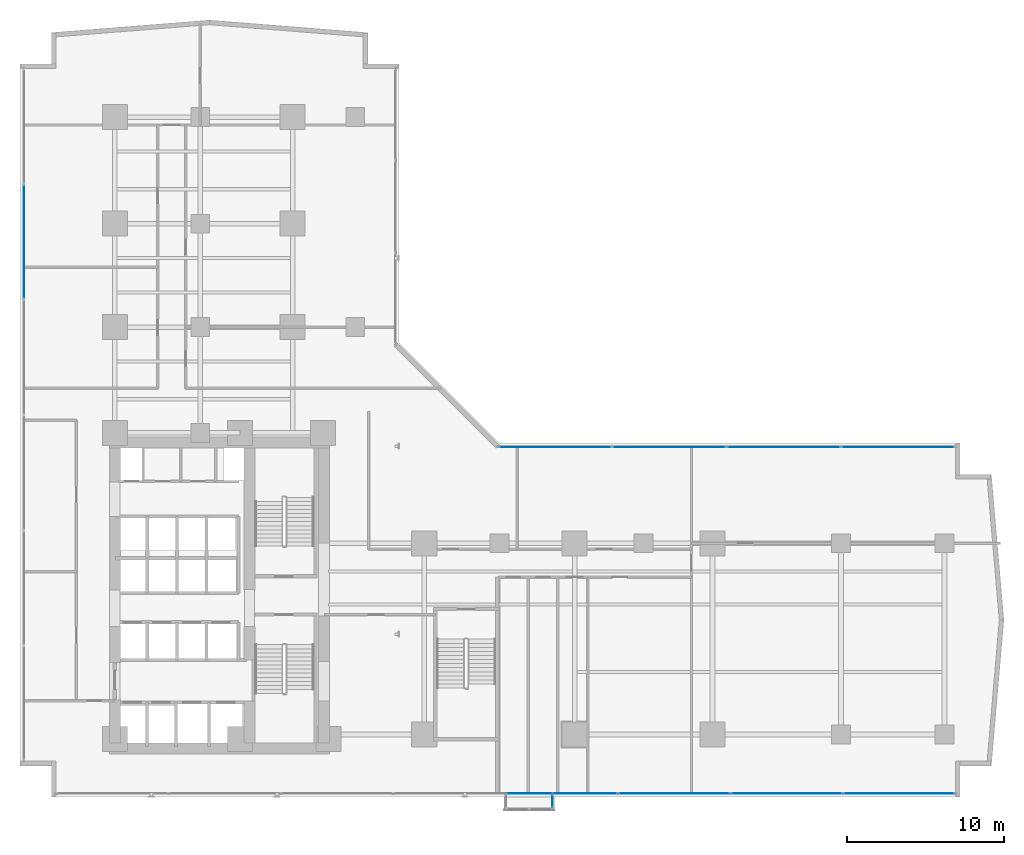
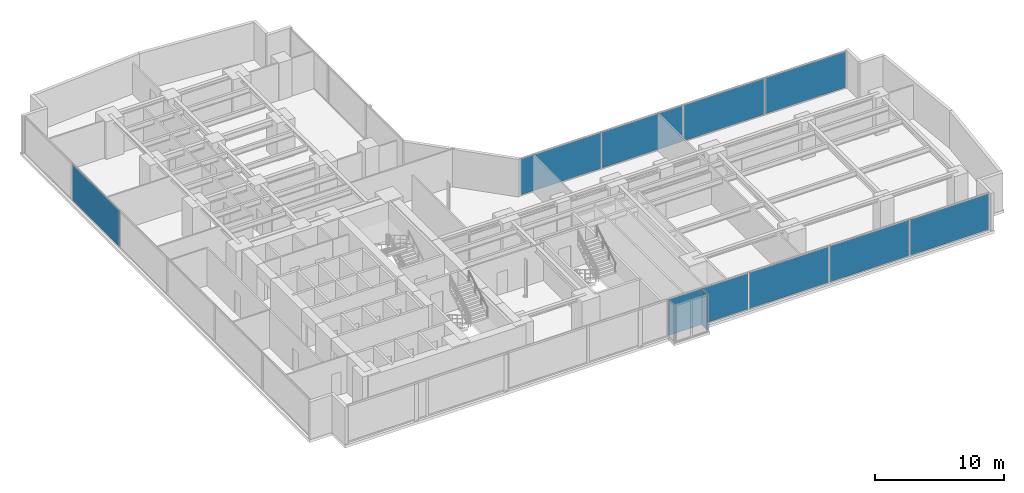
# One storey, part 22 of 29: 10 plates, 4 elements without a shape of their own.
"""IFC4 building model written with IfcOpenShell, lengths in metres."""

from ifc_helpers import new_model, si_unit, direction, frame, origin, origin_with_axes, origin_2d, place, context, subcontext, project, spatial, rectangle, extrude, source, transform, mapped, material, layer, layer_set, type_object, element, aggregate, save


model = new_model("IFC4")

# Units and contexts
model_context = context("Model", 3, precision=1e-05, world=origin(), true_north=direction((0.0, 1.0)))
body_context = subcontext(model_context, "Body", "Model", "MODEL_VIEW")
ifc_project = project(units=[si_unit("LENGTHUNIT", "METRE"), si_unit("AREAUNIT", "SQUARE_METRE"), si_unit("VOLUMEUNIT", "CUBIC_METRE"), si_unit("PLANEANGLEUNIT", "RADIAN"), si_unit("MASSUNIT", "GRAM", prefix="KILO")], contexts=[model_context])

# Site, building, storey
site_placement = place(None, origin())
site = spatial("IfcSite", under=ifc_project, at=site_placement, CompositionType="ELEMENT")
building_placement = place(site_placement, origin())
building = spatial("IfcBuilding", under=site, at=building_placement, Name="Kolvaren Waterfront Exchange", CompositionType="ELEMENT")
storey_placement = place(building_placement, frame((0.0, 0.0, 37.199951171875)))
storey = spatial("IfcBuildingStorey", under=building, at=storey_placement, Name="L09", CompositionType="ELEMENT", Elevation=37.199951171875)

# Curtain wall, plates
ifc_material_1 = material(Name="Anodised bronze aluminium 6063-T6", Category="aluminium")
ifc_layer_1 = layer(ifc_material_1, 0.219970703125, Name="Anodised bronze aluminium 6063-T6")
ifc_layer_set_1 = layer_set([ifc_layer_1], Name="Anodised bronze aluminium 6063-T6")
curtain_wall_type_1 = type_object("IfcCurtainWallType", Name="ARC-CW-SYS1", PredefinedType="USERDEFINED", material=ifc_layer_set_1)
curtain_wall_1_placement = place(storey_placement, origin())
curtain_wall_1 = element("IfcCurtainWall", 1, at=curtain_wall_1_placement, inside=storey, type_object=curtain_wall_type_1, Name="L09 stick curtain wall CW1 (CW-L09-S)", ObjectType="STICK CURTAIN WALL", PredefinedType="USERDEFINED")
ifc_material_2 = material(Name="Bronze solar control vision glass", Category="aluminium")
ifc_layer_2 = layer(ifc_material_2, 0.028076171875, Name="Bronze solar control vision glass")
ifc_layer_set_2 = layer_set([ifc_layer_2], Name="Bronze solar control vision glass")
plate_type_1 = type_object("IfcPlateType", Name="ARC-CWP-28", PredefinedType="CURTAIN_PANEL", material=ifc_layer_set_2)
shared_shape_1 = source(origin_with_axes(), body_context, "Body", "SweptSolid", [
    extrude(rectangle(XDim=7.054931640625, YDim=0.028076171875, at=origin_2d()), origin(), (0.0, 0.0, 1.0), 3.389892578125),
])
plate_1_placement = place(storey_placement, frame((57.492431640625, 1.43994140625, 0.0751953125), z_axis=(0.0, 0.0, 1.0), x_axis=(1.0, 0.0, 0.0)))
plate_1 = element("IfcPlate", 2, at=plate_1_placement, type_object=plate_type_1, Name="CW1 panel 8.1", PredefinedType="CURTAIN_PANEL", context=body_context, shape_type="MappedRepresentation", body=[
    mapped(shared_shape_1, transform((0.0, 0.0, 0.0), x_axis=(1.0, 0.0, 0.0), y_axis=(0.0, 1.0, 0.0), z_axis=(0.0, 0.0, 1.0), scale=1.0)),
])
shared_shape_2 = source(origin_with_axes(), body_context, "Body", "SweptSolid", [
    extrude(rectangle(XDim=7.094970703125, YDim=0.028076171875, at=origin_2d()), origin(), (0.0, 0.0, 1.0), 3.389892578125),
])
plate_2_placement = place(storey_placement, frame((35.987548828125, 1.43994140625, 0.0751953125), z_axis=(0.0, 0.0, 1.0), x_axis=(1.0, 0.0, 0.0)))
plate_2 = element("IfcPlate", 3, at=plate_2_placement, type_object=plate_type_1, Name="CW1 panel 5.1", PredefinedType="CURTAIN_PANEL", context=body_context, shape_type="MappedRepresentation", body=[
    mapped(shared_shape_2, transform((0.0, 0.0, 0.0), x_axis=(1.0, 0.0, 0.0), y_axis=(0.0, 1.0, 0.0), z_axis=(0.0, 0.0, 1.0), scale=1.0)),
])
plate_3_placement = place(storey_placement, frame((43.16259765625, 1.43994140625, 0.0751953125), z_axis=(0.0, 0.0, 1.0), x_axis=(1.0, 0.0, 0.0)))
plate_3 = element("IfcPlate", 4, at=plate_3_placement, type_object=plate_type_1, Name="CW1 panel 6.1", PredefinedType="CURTAIN_PANEL", context=body_context, shape_type="MappedRepresentation", body=[
    mapped(shared_shape_2, transform((0.0, 0.0, 0.0), x_axis=(1.0, 0.0, 0.0), y_axis=(0.0, 1.0, 0.0), z_axis=(0.0, 0.0, 1.0), scale=1.0)),
])
plate_4_placement = place(storey_placement, frame((50.33740234375, 1.43994140625, 0.0751953125), z_axis=(0.0, 0.0, 1.0), x_axis=(1.0, 0.0, 0.0)))
plate_4 = element("IfcPlate", 5, at=plate_4_placement, type_object=plate_type_1, Name="CW1 panel 7.1", PredefinedType="CURTAIN_PANEL", context=body_context, shape_type="MappedRepresentation", body=[
    mapped(shared_shape_2, transform((0.0, 0.0, 0.0), x_axis=(1.0, 0.0, 0.0), y_axis=(0.0, 1.0, 0.0), z_axis=(0.0, 0.0, 1.0), scale=1.0)),
])
aggregate(curtain_wall_1, [plate_2, plate_3, plate_4, plate_1])

# Curtain wall, plate
ifc_material_3 = material(Name="Anodised aluminium 6063-T6", Category="aluminium")
ifc_layer_3 = layer(ifc_material_3, 0.219970703125, Name="Anodised aluminium 6063-T6")
ifc_layer_set_3 = layer_set([ifc_layer_3], Name="Anodised aluminium 6063-T6")
curtain_wall_type_2 = type_object("IfcCurtainWallType", Name="ARC-CW-SYS2", PredefinedType="USERDEFINED", material=ifc_layer_set_3)
curtain_wall_2_placement = place(storey_placement, origin())
curtain_wall_2 = element("IfcCurtainWall", 6, at=curtain_wall_2_placement, inside=storey, type_object=curtain_wall_type_2, Name="L09 stick curtain wall CW2 (CW-L09-W)", ObjectType="STICK CURTAIN WALL", PredefinedType="USERDEFINED")
ifc_material_4 = material(Name="Acoustic laminated vision glass", Category="glass")
ifc_layer_4 = layer(ifc_material_4, 0.031982421875, Name="Acoustic laminated vision glass")
ifc_layer_set_4 = layer_set([ifc_layer_4], Name="Acoustic laminated vision glass")
plate_type_2 = type_object("IfcPlateType", Name="ARC-CWP-32", PredefinedType="CURTAIN_PANEL", material=ifc_layer_set_4)
shared_shape_3 = source(origin_with_axes(), body_context, "Body", "SweptSolid", [
    extrude(rectangle(XDim=7.28662109375, YDim=0.031982421875, at=origin_2d()), origin(), (0.0, 0.0, 1.0), 3.389892578125),
])
plate_5_placement = place(storey_placement, frame((1.639892578125, 36.64990234375, 0.0751953125), z_axis=(0.0, 0.0, 1.0), x_axis=(0.0, 1.0, 0.0)))
plate_5 = element("IfcPlate", 7, at=plate_5_placement, type_object=plate_type_2, Name="CW2 panel 5.1", PredefinedType="CURTAIN_PANEL", context=body_context, shape_type="MappedRepresentation", body=[
    mapped(shared_shape_3, transform((0.0, 0.0, 0.0), x_axis=(1.0, 0.0, 0.0), y_axis=(0.0, 1.0, 0.0), z_axis=(0.0, 0.0, 1.0), scale=1.0)),
])
aggregate(curtain_wall_2, [plate_5])

# Curtain wall, plates
curtain_wall_3_placement = place(storey_placement, origin())
curtain_wall_3 = element("IfcCurtainWall", 8, at=curtain_wall_3_placement, inside=storey, type_object=curtain_wall_type_1, Name="L09 stick curtain wall CW1 (CW-L09-EN)", ObjectType="STICK CURTAIN WALL", PredefinedType="USERDEFINED")
shared_shape_4 = source(origin_with_axes(), body_context, "Body", "SweptSolid", [
    extrude(rectangle(XDim=7.1826171875, YDim=0.028076171875, at=origin_2d()), origin(), (0.0, 0.0, 1.0), 3.389892578125),
])
plate_6_placement = place(storey_placement, frame((35.561279296875, 23.56005859375, 0.0751953125), z_axis=(0.0, 0.0, 1.0), x_axis=(1.0, 0.0, 0.0)))
plate_6 = element("IfcPlate", 9, at=plate_6_placement, type_object=plate_type_1, Name="CW1 panel 1.1", PredefinedType="CURTAIN_PANEL", context=body_context, shape_type="MappedRepresentation", body=[
    mapped(shared_shape_4, transform((0.0, 0.0, 0.0), x_axis=(1.0, 0.0, 0.0), y_axis=(0.0, 1.0, 0.0), z_axis=(0.0, 0.0, 1.0), scale=1.0)),
])
plate_7_placement = place(storey_placement, frame((57.4287109375, 23.56005859375, 0.0751953125), z_axis=(0.0, 0.0, 1.0), x_axis=(1.0, 0.0, 0.0)))
plate_7 = element("IfcPlate", 10, at=plate_7_placement, type_object=plate_type_1, Name="CW1 panel 4.1", PredefinedType="CURTAIN_PANEL", context=body_context, shape_type="MappedRepresentation", body=[
    mapped(shared_shape_4, transform((0.0, 0.0, 0.0), x_axis=(1.0, 0.0, 0.0), y_axis=(0.0, 1.0, 0.0), z_axis=(0.0, 0.0, 1.0), scale=1.0)),
])
shared_shape_5 = source(origin_with_axes(), body_context, "Body", "SweptSolid", [
    extrude(rectangle(XDim=7.222412109375, YDim=0.028076171875, at=origin_2d()), origin(), (0.0, 0.0, 1.0), 3.389892578125),
])
plate_8_placement = place(storey_placement, frame((42.84375, 23.56005859375, 0.0751953125), z_axis=(0.0, 0.0, 1.0), x_axis=(1.0, 0.0, 0.0)))
plate_8 = element("IfcPlate", 11, at=plate_8_placement, type_object=plate_type_1, Name="CW1 panel 2.1", PredefinedType="CURTAIN_PANEL", context=body_context, shape_type="MappedRepresentation", body=[
    mapped(shared_shape_5, transform((0.0, 0.0, 0.0), x_axis=(1.0, 0.0, 0.0), y_axis=(0.0, 1.0, 0.0), z_axis=(0.0, 0.0, 1.0), scale=1.0)),
])
plate_9_placement = place(storey_placement, frame((50.146240234375, 23.56005859375, 0.0751953125), z_axis=(0.0, 0.0, 1.0), x_axis=(1.0, 0.0, 0.0)))
plate_9 = element("IfcPlate", 12, at=plate_9_placement, type_object=plate_type_1, Name="CW1 panel 3.1", PredefinedType="CURTAIN_PANEL", context=body_context, shape_type="MappedRepresentation", body=[
    mapped(shared_shape_5, transform((0.0, 0.0, 0.0), x_axis=(1.0, 0.0, 0.0), y_axis=(0.0, 1.0, 0.0), z_axis=(0.0, 0.0, 1.0), scale=1.0)),
])
aggregate(curtain_wall_3, [plate_6, plate_8, plate_9, plate_7])

# Curtain wall, plate
ifc_layer_5 = layer(ifc_material_1, 0.219970703125, Name="Anodised bronze aluminium 6063-T6")
ifc_layer_set_5 = layer_set([ifc_layer_5], Name="Anodised bronze aluminium 6063-T6")
curtain_wall_type_3 = type_object("IfcCurtainWallType", Name="ARC-CW-SYS3", PredefinedType="USERDEFINED", material=ifc_layer_set_5)
curtain_wall_4_placement = place(storey_placement, origin())
curtain_wall_4 = element("IfcCurtainWall", 13, at=curtain_wall_4_placement, inside=storey, type_object=curtain_wall_type_3, Name="L09 stick curtain wall CW3 (CW-L09-BOX-E)", ObjectType="STICK CURTAIN WALL", PredefinedType="USERDEFINED")
ifc_material_5 = material(Name="Bronze tinted bay-box vision glass", Category="aluminium")
ifc_layer_6 = layer(ifc_material_5, 0.02392578125, Name="Bronze tinted bay-box vision glass")
ifc_layer_set_6 = layer_set([ifc_layer_6], Name="Bronze tinted bay-box vision glass")
plate_type_3 = type_object("IfcPlateType", Name="ARC-CWP-24", PredefinedType="CURTAIN_PANEL", material=ifc_layer_set_6)
shared_shape_6 = source(origin_with_axes(), body_context, "Body", "SweptSolid", [
    extrude(rectangle(XDim=0.830078125, YDim=0.02392578125, at=origin_2d()), origin(), (0.0, 0.0, 1.0), 3.409912109375),
])
plate_10_placement = place(storey_placement, frame((35.389892578125, 0.949951171875, 0.06494140625), z_axis=(0.0, 0.0, 1.0), x_axis=(0.0, 1.0, 0.0)))
plate_10 = element("IfcPlate", 14, at=plate_10_placement, type_object=plate_type_3, Name="CW3 panel 1.1", PredefinedType="CURTAIN_PANEL", context=body_context, shape_type="MappedRepresentation", body=[
    mapped(shared_shape_6, transform((0.0, 0.0, 0.0), x_axis=(1.0, 0.0, 0.0), y_axis=(0.0, 1.0, 0.0), z_axis=(0.0, 0.0, 1.0), scale=1.0)),
])
aggregate(curtain_wall_4, [plate_10])

save(model, "model.ifc")
